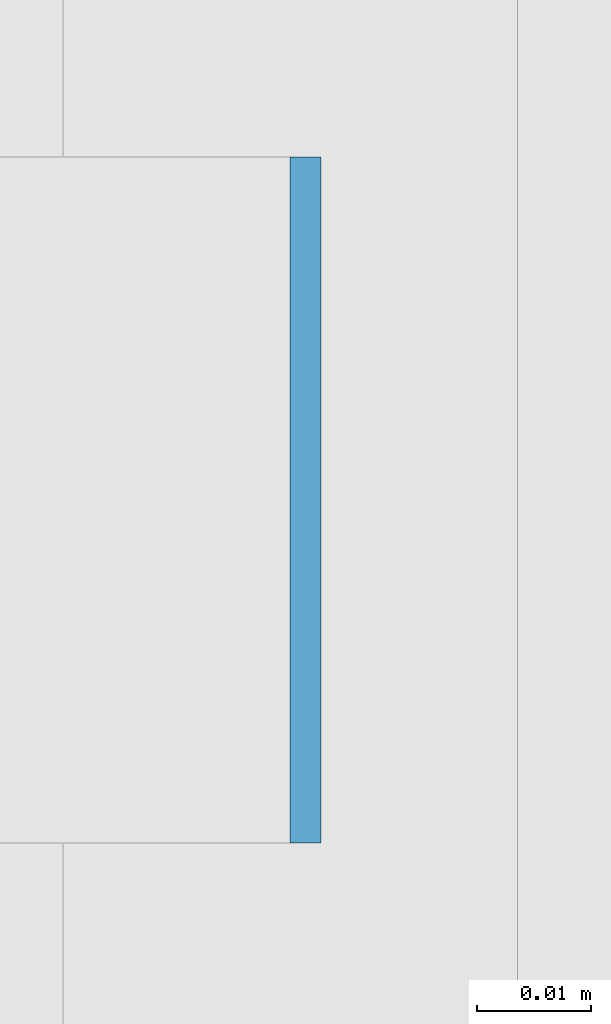
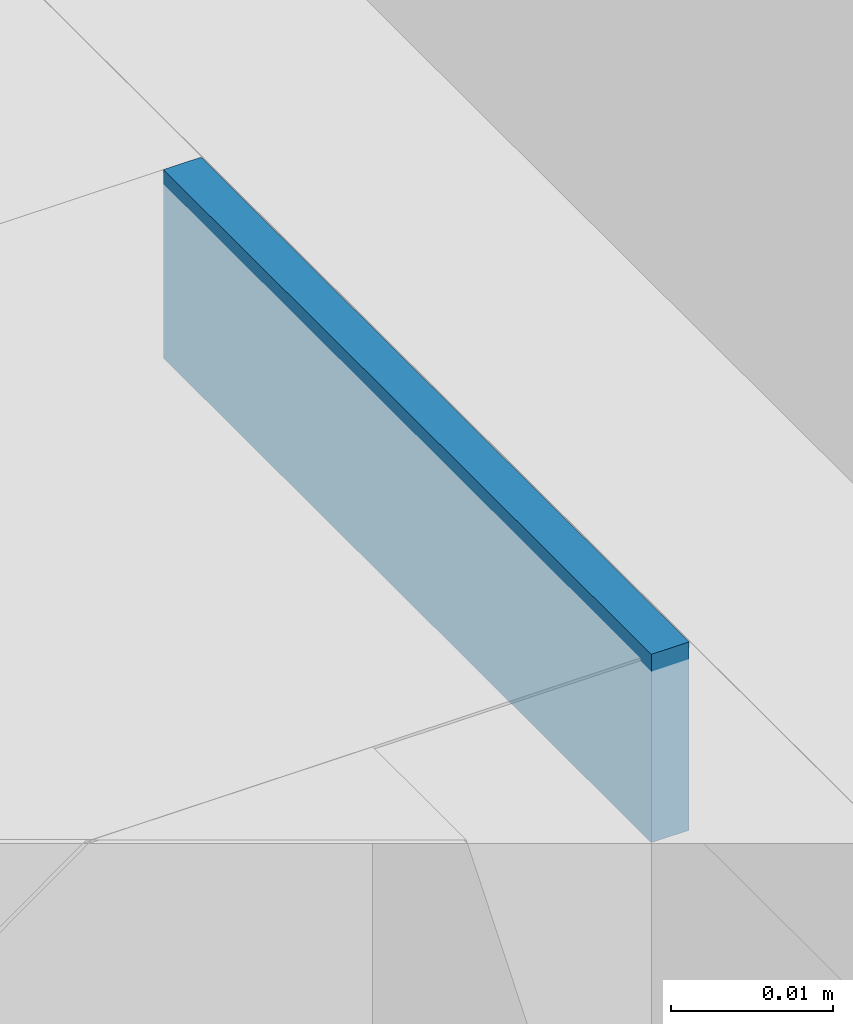
# One storey, part 271 of 646: 1 discrete accessory.
"""IFC4 building model written with IfcOpenShell, lengths in metres."""

from ifc_helpers import new_model, si_unit, direction, frame, origin, origin_2d, place, context, subcontext, project, spatial, rectangle, extrude, material, type_object, element, save


model = new_model("IFC4")

# Units and contexts
model_context = context("Model", 3, precision=1e-05, world=origin(), true_north=direction((0.0, 1.0)))
body_context = subcontext(model_context, "Body", "Model", "MODEL_VIEW")
ifc_project = project(units=[si_unit("LENGTHUNIT", "METRE"), si_unit("AREAUNIT", "SQUARE_METRE"), si_unit("VOLUMEUNIT", "CUBIC_METRE"), si_unit("PLANEANGLEUNIT", "RADIAN"), si_unit("MASSUNIT", "GRAM", prefix="KILO")], contexts=[model_context])

# Site, building, storey
site_placement = place(None, origin())
site = spatial("IfcSite", under=ifc_project, at=site_placement, CompositionType="ELEMENT")
building_placement = place(site_placement, origin())
building = spatial("IfcBuilding", under=site, at=building_placement, Name="Silverbay Arena", CompositionType="ELEMENT")
storey_placement = place(building_placement, frame((0.0, 0.0, 33.5)))
storey = spatial("IfcBuildingStorey", under=building, at=storey_placement, Name="L05", CompositionType="ELEMENT", Elevation=33.5)

# Discrete accessory
ifc_material = material(Name="Steel S355", Category="steel")
discrete_accessory_type = type_object("IfcDiscreteAccessoryType", Name="Steel bracket plate", PredefinedType="BRACKET", material=ifc_material)
discrete_accessory_placement = place(storey_placement, frame((53.871337890625, 46.28564453125, 12.98583984375), z_axis=(0.0, 0.0, 1.0), x_axis=(1.0, 0.0, 0.0)))
element("IfcDiscreteAccessory", 1, at=discrete_accessory_placement, inside=storey, type_object=discrete_accessory_type, Name="Curtain wall packing plate", PredefinedType="BRACKET", context=body_context, shape_type="SweptSolid", body=[
    extrude(rectangle(XDim=0.002685546875, YDim=0.06005859375, at=origin_2d()), origin(), (0.0, 0.0, 1.0), 0.01416015625),
])

save(model, "model.ifc")
